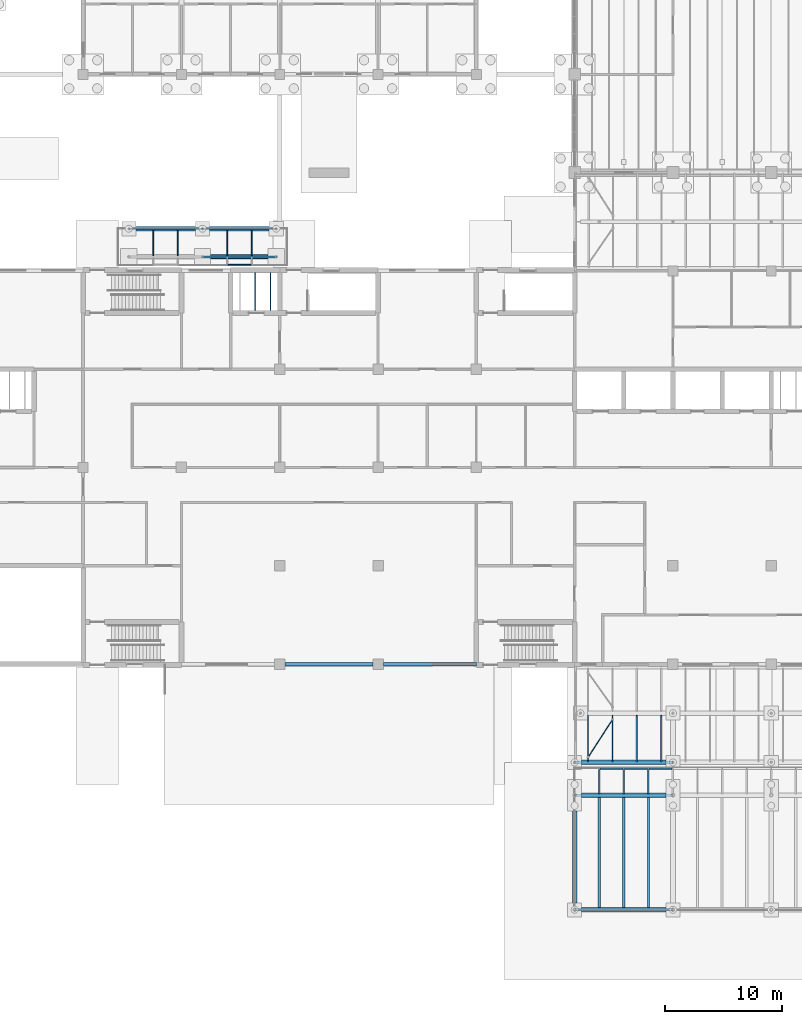
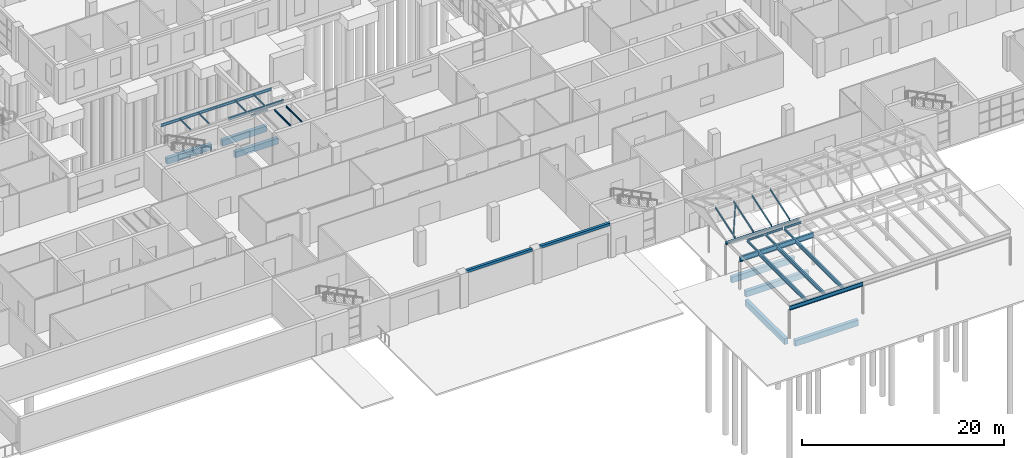
# One storey, part 33 of 138: 35 beams, 1 member.
"""IFC4 building model written with IfcOpenShell, lengths in metres."""

from ifc_helpers import new_model, si_unit, direction, frame, origin, origin_2d, place, context, subcontext, project, spatial, rectangle, hollow_circle, i_section, extrude, material, material_profile, profile_set, type_object, element, save


model = new_model("IFC4")

# Units and contexts
model_context = context("Model", 3, precision=1e-05, world=origin(), true_north=direction((0.0, 1.0)))
body_context = subcontext(model_context, "Body", "Model", "MODEL_VIEW")
ifc_project = project(units=[si_unit("LENGTHUNIT", "METRE"), si_unit("AREAUNIT", "SQUARE_METRE"), si_unit("VOLUMEUNIT", "CUBIC_METRE"), si_unit("PLANEANGLEUNIT", "RADIAN"), si_unit("MASSUNIT", "GRAM", prefix="KILO")], contexts=[model_context])

# Site, building, storey
site_placement = place(None, origin())
site = spatial("IfcSite", under=ifc_project, at=site_placement, CompositionType="ELEMENT")
building_placement = place(site_placement, origin())
building = spatial("IfcBuilding", under=site, at=building_placement, Name="Yavir Park General Hospital", CompositionType="ELEMENT")
storey_placement = place(building_placement, origin())
storey = spatial("IfcBuildingStorey", under=building, at=storey_placement, Name="L00", CompositionType="ELEMENT", Elevation=0.0)

# Member
ifc_material_1 = material(Name="Steel S355", Category="steel")
ifc_material_profile_1 = material_profile(ifc_material_1, hollow_circle(Radius=0.04443359375, WallThickness=0.0048828125, at=origin_2d()), Name="CHS88.9x5")
ifc_profile_set_1 = profile_set([ifc_material_profile_1], Name="Steel S355")
member_type = type_object("IfcMemberType", Name="CHS 88.9x5 roof brace", PredefinedType="BRACE", material=ifc_profile_set_1)
member_placement = place(storey_placement, frame((76.75, -7.970947265625, 4.07958984375), z_axis=(0.521743749393, 0.809323862228, 0.269774620743), x_axis=(-0.840486152676, 0.541833025166, 0.0)))
element("IfcMember", 1, at=member_placement, inside=storey, type_object=member_type, Name="RF:PORCH:frame:X:0", PredefinedType="BRACE", context=body_context, shape_type="SweptSolid", body=[
    extrude(hollow_circle(Radius=0.04443359375, WallThickness=0.0048828125, at=origin_2d()), origin(), (0.0, 0.0, 1.0), 3.989990234375),
])

# Beams
ifc_material_2 = material(Name="Steel S355", Category="steel")
ifc_material_profile_2 = material_profile(ifc_material_2, i_section(OverallWidth=0.260009765625, OverallDepth=0.25, WebThickness=0.007568359375, FlangeThickness=0.012451171875, FilletRadius=0.02392578125, at=origin_2d()), Name="HEA260")
ifc_profile_set_2 = profile_set([ifc_material_profile_2], Name="Steel S355")
beam_type_1 = type_object("IfcBeamType", Name="HEA 260 eave beam", PredefinedType="BEAM", material=ifc_profile_set_2)
beam_1_placement = place(storey_placement, frame((75.60009765625, -8.39990234375, 3.741943359375), z_axis=(1.0, 0.0, 0.0), x_axis=(0.0, 1.0, 0.0)))
element("IfcBeam", 2, at=beam_1_placement, inside=storey, type_object=beam_type_1, Name="RF:PORCH:frame:E:0", PredefinedType="BEAM", context=body_context, shape_type="SweptSolid", body=[
    extrude(i_section(OverallWidth=0.260009765625, OverallDepth=0.25, WebThickness=0.007568359375, FlangeThickness=0.012451171875, FilletRadius=0.02392578125, at=origin_2d()), origin(), (0.0, 0.0, 1.0), 8.39990234375),
])
ifc_material_3 = material(Name="Steel S355", Category="steel")
ifc_material_profile_3 = material_profile(ifc_material_3, i_section(OverallWidth=0.08203125, OverallDepth=0.159912109375, WebThickness=0.0048828125, FlangeThickness=0.00732421875, FilletRadius=0.009033203125, at=origin_2d()), Name="IPE160")
ifc_profile_set_3 = profile_set([ifc_material_profile_3], Name="Steel S355")
beam_type_2 = type_object("IfcBeamType", Name="IPE 160 edge trimmer, up to 2.5 m span", PredefinedType="BEAM", material=ifc_profile_set_3)
beam_2_placement = place(storey_placement, frame((45.94091796875, 34.14111328125, 3.77001953125), z_axis=(1.0, 0.0, 0.0), x_axis=(0.0, 1.0, 0.0)))
element("IfcBeam", 3, at=beam_2_placement, inside=storey, type_object=beam_type_2, Name="B:ARC1:T4", PredefinedType="BEAM", context=body_context, shape_type="SweptSolid", body=[
    extrude(i_section(OverallWidth=0.08203125, OverallDepth=0.159912109375, WebThickness=0.0048828125, FlangeThickness=0.00732421875, FilletRadius=0.009033203125, at=origin_2d()), origin(), (0.0, 0.0, 1.0), 2.01806640625),
])
ifc_material_4 = material(Name="Steel S355", Category="steel")
ifc_material_profile_4 = material_profile(ifc_material_4, i_section(OverallWidth=0.08203125, OverallDepth=0.159912109375, WebThickness=0.0048828125, FlangeThickness=0.00732421875, FilletRadius=0.009033203125, at=origin_2d()), Name="IPE160")
ifc_profile_set_4 = profile_set([ifc_material_profile_4], Name="Steel S355")
beam_type_3 = type_object("IfcBeamType", Name="IPE 160 secondary beam, up to 2.5 m span", PredefinedType="JOIST", material=ifc_profile_set_4)
for number, where, z_axis, x_axis, name in (
    (4, (39.60009765625, 34.8798828125, 3.77001953125), (0.0, 1.0, 0.0), (-1.0, 0.0, 0.0), "B:ARC1:J1-1"),
    (5, (41.699951171875, 34.8798828125, 3.77001953125), (0.0, 1.0, 0.0), (-1.0, 0.0, 0.0), "B:ARC1:J2-1"),
    (6, (45.89990234375, 34.8798828125, 3.77001953125), (0.0, 1.0, 0.0), (-1.0, 0.0, 0.0), "B:ARC1:J4-1"),
    (7, (48.0, 34.8798828125, 3.77001953125), (0.0, 1.0, 0.0), (-1.0, 0.0, 0.0), "B:ARC1:J5-1"),
):
    element("IfcBeam", number, at=place(storey_placement, frame(where, z_axis=z_axis, x_axis=x_axis)), inside=storey, type_object=beam_type_3, Name=name, PredefinedType="JOIST", context=body_context, shape_type="SweptSolid", body=[
        extrude(i_section(OverallWidth=0.08203125, OverallDepth=0.159912109375, WebThickness=0.0048828125, FlangeThickness=0.00732421875, FilletRadius=0.009033203125, at=origin_2d()), origin(), (0.0, 0.0, 1.0), 2.240234375),
    ])
ifc_material_5 = material(Name="Steel S355", Category="steel")
ifc_material_profile_5 = material_profile(ifc_material_5, i_section(OverallWidth=0.10009765625, OverallDepth=0.199951171875, WebThickness=0.005615234375, FlangeThickness=0.008544921875, FilletRadius=0.011962890625, at=origin_2d()), Name="IPE200")
ifc_profile_set_5 = profile_set([ifc_material_profile_5], Name="Steel S355")
beam_type_4 = type_object("IfcBeamType", Name="IPE 200 lift hoist beam", PredefinedType="BEAM", material=ifc_profile_set_5)
beam_3_placement = place(storey_placement, frame((48.300048828125, 30.199951171875, 4.0400390625), z_axis=(0.0, 1.0, 0.0), x_axis=(-1.0, 0.0, 0.0)))
element("IfcBeam", 8, at=beam_3_placement, inside=storey, type_object=beam_type_4, Name="B:HOIST:FL2", PredefinedType="BEAM", context=body_context, shape_type="SweptSolid", body=[
    extrude(i_section(OverallWidth=0.10009765625, OverallDepth=0.199951171875, WebThickness=0.005615234375, FlangeThickness=0.008544921875, FilletRadius=0.011962890625, at=origin_2d()), origin(), (0.0, 0.0, 1.0), 3.25),
])
ifc_material_6 = material(Name="Steel S355", Category="steel")
ifc_material_profile_6 = material_profile(ifc_material_6, i_section(OverallWidth=0.10009765625, OverallDepth=0.199951171875, WebThickness=0.005615234375, FlangeThickness=0.008544921875, FilletRadius=0.011962890625, at=origin_2d()), Name="IPE200")
ifc_profile_set_6 = profile_set([ifc_material_profile_6], Name="Steel S355")
beam_type_5 = type_object("IfcBeamType", Name="IPE 200 lift machine beam", PredefinedType="BEAM", material=ifc_profile_set_6)
beam_4_placement = place(storey_placement, frame((49.60009765625, 30.199951171875, 4.0400390625), z_axis=(0.0, 1.0, 0.0), x_axis=(-1.0, 0.0, 0.0)))
element("IfcBeam", 9, at=beam_4_placement, inside=storey, type_object=beam_type_5, Name="B:MACH:FL2:1", PredefinedType="BEAM", context=body_context, shape_type="SweptSolid", body=[
    extrude(i_section(OverallWidth=0.10009765625, OverallDepth=0.199951171875, WebThickness=0.005615234375, FlangeThickness=0.008544921875, FilletRadius=0.011962890625, at=origin_2d()), origin(), (0.0, 0.0, 1.0), 3.25),
])
ifc_material_7 = material(Name="Steel S355", Category="steel")
ifc_material_profile_7 = material_profile(ifc_material_7, i_section(OverallWidth=0.10009765625, OverallDepth=0.199951171875, WebThickness=0.005615234375, FlangeThickness=0.008544921875, FilletRadius=0.011962890625, at=origin_2d()), Name="IPE200")
ifc_profile_set_7 = profile_set([ifc_material_profile_7], Name="Steel S355")
beam_type_6 = type_object("IfcBeamType", Name="IPE 200 rafter", PredefinedType="JOIST", material=ifc_profile_set_7)
for number, where, z_axis, x_axis, name in (
    (10, (76.75, -8.32080078125, 3.962890625), (0.0, 0.948677403283, 0.316245449771), (-1.0, 0.0, 0.0), "RF:PORCH:frame:R:0"),
    (11, (78.831787109375, -8.32080078125, 3.962890625), (0.0, 0.948677403283, 0.316245449771), (-1.0, 0.0, 0.0), "RF:PORCH:frame:R:2"),
    (12, (80.91357421875, -8.32080078125, 3.962890625), (0.0, 0.948677403283, 0.316245449771), (-1.0, 0.0, 0.0), "RF:PORCH:frame:R:4"),
    (13, (82.99560546875, -8.32080078125, 3.962890625), (0.0, 0.948677403283, 0.316245449771), (-1.0, 0.0, 0.0), "RF:PORCH:frame:R:6"),
):
    element("IfcBeam", number, at=place(storey_placement, frame(where, z_axis=z_axis, x_axis=x_axis)), inside=storey, type_object=beam_type_6, Name=name, PredefinedType="JOIST", context=body_context, shape_type="SweptSolid", body=[
        extrude(i_section(OverallWidth=0.10009765625, OverallDepth=0.199951171875, WebThickness=0.005615234375, FlangeThickness=0.008544921875, FilletRadius=0.011962890625, at=origin_2d()), origin(), (0.0, 0.0, 1.0), 4.141845703125),
    ])
ifc_material_8 = material(Name="Steel S355", Category="steel")
ifc_material_profile_8 = material_profile(ifc_material_8, i_section(OverallWidth=0.1201171875, OverallDepth=0.239990234375, WebThickness=0.006103515625, FlangeThickness=0.009765625, FilletRadius=0.014892578125, at=origin_2d()), Name="IPE240")
ifc_profile_set_8 = profile_set([ifc_material_profile_8], Name="Steel S355")
beam_type_7 = type_object("IfcBeamType", Name="IPE 240 cantilever secondary beam, up to 2.5 m", PredefinedType="JOIST", material=ifc_profile_set_8)
for number, where, z_axis, x_axis, name in (
    (14, (77.699951171875, -9.02001953125, 3.72998046875), (0.0, -1.0, 0.0), (1.0, 0.0, 0.0), "B:DROP:J1-0"),
    (15, (79.800048828125, -9.02001953125, 3.72998046875), (0.0, -1.0, 0.0), (1.0, 0.0, 0.0), "B:DROP:J2-0"),
    (16, (81.89990234375, -9.02001953125, 3.72998046875), (0.0, -1.0, 0.0), (1.0, 0.0, 0.0), "B:DROP:J3-0"),
):
    element("IfcBeam", number, at=place(storey_placement, frame(where, z_axis=z_axis, x_axis=x_axis)), inside=storey, type_object=beam_type_7, Name=name, PredefinedType="JOIST", context=body_context, shape_type="SweptSolid", body=[
        extrude(i_section(OverallWidth=0.1201171875, OverallDepth=0.239990234375, WebThickness=0.006103515625, FlangeThickness=0.009765625, FilletRadius=0.014892578125, at=origin_2d()), origin(), (0.0, 0.0, 1.0), 2.070068359375),
    ])
ifc_material_9 = material(Name="Steel S355", Category="steel")
ifc_material_profile_9 = material_profile(ifc_material_9, i_section(OverallWidth=0.1201171875, OverallDepth=0.239990234375, WebThickness=0.006103515625, FlangeThickness=0.009765625, FilletRadius=0.014892578125, at=origin_2d()), Name="IPE240")
ifc_profile_set_9 = profile_set([ifc_material_profile_9], Name="Steel S355")
beam_type_8 = type_object("IfcBeamType", Name="IPE 240 edge trimmer, up to 2 m span", PredefinedType="BEAM", material=ifc_profile_set_9)
for number, where, z_axis, x_axis, name in (
    (17, (77.760009765625, -8.9599609375, 3.72998046875), (1.0, 0.0, 0.0), (0.0, 1.0, 0.0), "B:DROP:T1"),
    (18, (79.860107421875, -8.9599609375, 3.72998046875), (1.0, 0.0, 0.0), (0.0, 1.0, 0.0), "B:DROP:T2"),
    (19, (81.9599609375, -8.9599609375, 3.72998046875), (1.0, 0.0, 0.0), (0.0, 1.0, 0.0), "B:DROP:T3"),
):
    element("IfcBeam", number, at=place(storey_placement, frame(where, z_axis=z_axis, x_axis=x_axis)), inside=storey, type_object=beam_type_8, Name=name, PredefinedType="BEAM", context=body_context, shape_type="SweptSolid", body=[
        extrude(i_section(OverallWidth=0.1201171875, OverallDepth=0.239990234375, WebThickness=0.006103515625, FlangeThickness=0.009765625, FilletRadius=0.014892578125, at=origin_2d()), origin(), (0.0, 0.0, 1.0), 1.97998046875),
    ])
ifc_material_10 = material(Name="Steel S355", Category="steel")
ifc_material_profile_10 = material_profile(ifc_material_10, i_section(OverallWidth=0.159912109375, OverallDepth=0.330078125, WebThickness=0.007568359375, FlangeThickness=0.011474609375, FilletRadius=0.01806640625, at=origin_2d()), Name="IPE330")
ifc_profile_set_10 = profile_set([ifc_material_profile_10], Name="Steel S355")
beam_type_9 = type_object("IfcBeamType", Name="IPE 330 main beam, inner row, up to 6.5 m span", PredefinedType="BEAM", material=ifc_profile_set_10)
beam_5_placement = place(storey_placement, frame((43.800048828125, 34.800048828125, 3.68505859375), z_axis=(1.0, 0.0, 0.0), x_axis=(0.0, 1.0, 0.0)))
element("IfcBeam", 20, at=beam_5_placement, inside=storey, type_object=beam_type_9, Name="B:ARC1:M01", PredefinedType="BEAM", context=body_context, shape_type="SweptSolid", body=[
    extrude(i_section(OverallWidth=0.159912109375, OverallDepth=0.330078125, WebThickness=0.007568359375, FlangeThickness=0.011474609375, FilletRadius=0.01806640625, at=origin_2d()), origin(), (0.0, 0.0, 1.0), 6.300048828125),
])
ifc_material_11 = material(Name="Steel S355", Category="steel")
ifc_material_profile_11 = material_profile(ifc_material_11, i_section(OverallWidth=0.159912109375, OverallDepth=0.330078125, WebThickness=0.007568359375, FlangeThickness=0.011474609375, FilletRadius=0.01806640625, at=origin_2d()), Name="IPE330")
ifc_profile_set_11 = profile_set([ifc_material_profile_11], Name="Steel S355")
beam_type_10 = type_object("IfcBeamType", Name="IPE 330 main beam, outer row, up to 6.5 m span", PredefinedType="BEAM", material=ifc_profile_set_11)
for number, where, z_axis, x_axis, name in (
    (21, (37.5, 37.199951171875, 3.68505859375), (1.0, 0.0, 0.0), (0.0, 1.0, 0.0), "B:ARC1:M10"),
    (22, (43.800048828125, 37.199951171875, 3.68505859375), (1.0, 0.0, 0.0), (0.0, 1.0, 0.0), "B:ARC1:M11"),
):
    element("IfcBeam", number, at=place(storey_placement, frame(where, z_axis=z_axis, x_axis=x_axis)), inside=storey, type_object=beam_type_10, Name=name, PredefinedType="BEAM", context=body_context, shape_type="SweptSolid", body=[
        extrude(i_section(OverallWidth=0.159912109375, OverallDepth=0.330078125, WebThickness=0.007568359375, FlangeThickness=0.011474609375, FilletRadius=0.01806640625, at=origin_2d()), origin(), (0.0, 0.0, 1.0), 6.300048828125),
    ])
ifc_material_12 = material(Name="Steel S355", Category="steel")
ifc_material_profile_12 = material_profile(ifc_material_12, i_section(OverallWidth=0.18994140625, OverallDepth=0.449951171875, WebThickness=0.009521484375, FlangeThickness=0.0146484375, FilletRadius=0.02099609375, at=origin_2d()), Name="IPE450")
ifc_profile_set_12 = profile_set([ifc_material_profile_12], Name="Steel S355")
beam_type_11 = type_object("IfcBeamType", Name="IPE 450 secondary beam, up to 10 m span", PredefinedType="JOIST", material=ifc_profile_set_12)
for number, where, z_axis, x_axis, name in (
    (23, (77.699951171875, -11.31005859375, 3.625), (0.0, -1.0, 0.0), (1.0, 0.0, 0.0), "B:DROP:J1-1"),
    (24, (79.800048828125, -11.31005859375, 3.625), (0.0, -1.0, 0.0), (1.0, 0.0, 0.0), "B:DROP:J2-1"),
    (25, (81.89990234375, -11.31005859375, 3.625), (0.0, -1.0, 0.0), (1.0, 0.0, 0.0), "B:DROP:J3-1"),
):
    element("IfcBeam", number, at=place(storey_placement, frame(where, z_axis=z_axis, x_axis=x_axis)), inside=storey, type_object=beam_type_11, Name=name, PredefinedType="JOIST", context=body_context, shape_type="SweptSolid", body=[
        extrude(i_section(OverallWidth=0.18994140625, OverallDepth=0.449951171875, WebThickness=0.009521484375, FlangeThickness=0.0146484375, FilletRadius=0.02099609375, at=origin_2d()), origin(), (0.0, 0.0, 1.0), 9.58984375),
    ])
ifc_material_13 = material(Name="Steel S355", Category="steel")
ifc_material_profile_13 = material_profile(ifc_material_13, i_section(OverallWidth=0.199951171875, OverallDepth=0.5, WebThickness=0.01025390625, FlangeThickness=0.01611328125, FilletRadius=0.02099609375, at=origin_2d()), Name="IPE500")
ifc_profile_set_13 = profile_set([ifc_material_profile_13], Name="Steel S355")
beam_type_12 = type_object("IfcBeamType", Name="IPE 500 main beam, outer row, up to 8.5 m span", PredefinedType="BEAM", material=ifc_profile_set_13)
beam_6_placement = place(storey_placement, frame((75.60009765625, -21.0, 3.60009765625), z_axis=(1.0, 0.0, 0.0), x_axis=(0.0, 1.0, 0.0)))
element("IfcBeam", 26, at=beam_6_placement, inside=storey, type_object=beam_type_12, Name="B:DROP:M10", PredefinedType="BEAM", context=body_context, shape_type="SweptSolid", body=[
    extrude(i_section(OverallWidth=0.199951171875, OverallDepth=0.5, WebThickness=0.01025390625, FlangeThickness=0.01611328125, FilletRadius=0.02099609375, at=origin_2d()), origin(), (0.0, 0.0, 1.0), 8.39990234375),
])
ifc_material_14 = material(Name="Steel S355", Category="steel")
ifc_material_profile_14 = material_profile(ifc_material_14, i_section(OverallWidth=0.219970703125, OverallDepth=0.60009765625, WebThickness=0.011962890625, FlangeThickness=0.01904296875, FilletRadius=0.02392578125, at=origin_2d()), Name="IPE600")
ifc_profile_set_14 = profile_set([ifc_material_profile_14], Name="Steel S355")
beam_type_13 = type_object("IfcBeamType", Name="IPE 600 main beam, inner row, up to 8.5 m span", PredefinedType="BEAM", material=ifc_profile_set_14)
beam_7_placement = place(storey_placement, frame((75.60009765625, -11.199951171875, 3.550048828125), z_axis=(1.0, 0.0, 0.0), x_axis=(0.0, 1.0, 0.0)))
element("IfcBeam", 27, at=beam_7_placement, inside=storey, type_object=beam_type_13, Name="B:DROP:M00", PredefinedType="BEAM", context=body_context, shape_type="SweptSolid", body=[
    extrude(i_section(OverallWidth=0.219970703125, OverallDepth=0.60009765625, WebThickness=0.011962890625, FlangeThickness=0.01904296875, FilletRadius=0.02392578125, at=origin_2d()), origin(), (0.0, 0.0, 1.0), 8.39990234375),
])
ifc_material_15 = material(Name="Concrete C35/45", Category="concrete")
ifc_material_profile_15 = material_profile(ifc_material_15, rectangle(XDim=0.300048828125, YDim=0.300048828125, at=origin_2d()), Name="RC300x300")
ifc_profile_set_15 = profile_set([ifc_material_profile_15], Name="Concrete C35/45")
beam_type_14 = type_object("IfcBeamType", Name="RC BEAM 300x300 edge beam", PredefinedType="BEAM", material=ifc_profile_set_15)
beam_8_placement = place(storey_placement, frame((50.85009765625, 0.0, 3.989990234375), z_axis=(1.0, 0.0, 0.0), x_axis=(0.0, 1.0, 0.0)))
element("IfcBeam", 28, at=beam_8_placement, inside=storey, type_object=beam_type_14, Name="B:EDGE:L00:002", PredefinedType="BEAM", context=body_context, shape_type="SweptSolid", body=[
    extrude(rectangle(XDim=0.300048828125, YDim=0.300048828125, at=origin_2d()), origin(), (0.0, 0.0, 1.0), 7.5),
])
beam_9_placement = place(storey_placement, frame((59.25, 0.0, 3.989990234375), z_axis=(1.0, 0.0, 0.0), x_axis=(0.0, 1.0, 0.0)))
element("IfcBeam", 29, at=beam_9_placement, inside=storey, type_object=beam_type_14, Name="B:EDGE:L00:003", PredefinedType="BEAM", context=body_context, shape_type="SweptSolid", body=[
    extrude(rectangle(XDim=0.300048828125, YDim=0.300048828125, at=origin_2d()), origin(), (0.0, 0.0, 1.0), 7.949951171875),
])
ifc_material_16 = material(Name="Concrete C35/45", Category="concrete")
ifc_material_profile_16 = material_profile(ifc_material_16, rectangle(XDim=0.39990234375, YDim=0.699951171875, at=origin_2d()), Name="RC400x700")
ifc_profile_set_16 = profile_set([ifc_material_profile_16], Name="Concrete C35/45")
beam_type_15 = type_object("IfcBeamType", Name="RC BEAM 400x700 ground beam", PredefinedType="BEAM", material=ifc_profile_set_16)
beam_10_placement = place(storey_placement, frame((44.5, 34.800048828125, -0.800048828125), z_axis=(1.0, 0.0, 0.0), x_axis=(0.0, 1.0, 0.0)))
element("IfcBeam", 30, at=beam_10_placement, inside=storey, type_object=beam_type_15, Name="B:GND:ARC1:C01:ARC1:C02", PredefinedType="BEAM", context=body_context, shape_type="SweptSolid", body=[
    extrude(rectangle(XDim=0.39990234375, YDim=0.699951171875, at=origin_2d()), origin(), (0.0, 0.0, 1.0), 4.89990234375),
])
beam_11_placement = place(storey_placement, frame((38.10009765625, 37.199951171875, -0.800048828125), z_axis=(1.0, 0.0, 0.0), x_axis=(0.0, 1.0, 0.0)))
element("IfcBeam", 31, at=beam_11_placement, inside=storey, type_object=beam_type_15, Name="B:GND:ARC1:C10:ARC1:C11", PredefinedType="BEAM", context=body_context, shape_type="SweptSolid", body=[
    extrude(rectangle(XDim=0.39990234375, YDim=0.699951171875, at=origin_2d()), origin(), (0.0, 0.0, 1.0), 5.099853515625),
])
beam_12_placement = place(storey_placement, frame((44.39990234375, 37.199951171875, -0.800048828125), z_axis=(1.0, 0.0, 0.0), x_axis=(0.0, 1.0, 0.0)))
element("IfcBeam", 32, at=beam_12_placement, inside=storey, type_object=beam_type_15, Name="B:GND:ARC1:C11:ARC1:C12", PredefinedType="BEAM", context=body_context, shape_type="SweptSolid", body=[
    extrude(rectangle(XDim=0.39990234375, YDim=0.699951171875, at=origin_2d()), origin(), (0.0, 0.0, 1.0), 5.10009765625),
])
for number, where, z_axis, x_axis, name in (
    (33, (76.199951171875, -11.199951171875, -0.800048828125), (1.0, 0.0, 0.0), (0.0, 1.0, 0.0), "B:GND:DROP:C00:DROP:C01"),
    (34, (76.199951171875, -21.0, -0.800048828125), (1.0, 0.0, 0.0), (0.0, 1.0, 0.0), "B:GND:DROP:C10:DROP:C11"),
    (35, (76.199951171875, -8.39990234375, -0.800048828125), (1.0, 0.0, 0.0), (0.0, 1.0, 0.0), "B:GND:PORCH:SS0:PORCH:SS1"),
):
    element("IfcBeam", number, at=place(storey_placement, frame(where, z_axis=z_axis, x_axis=x_axis)), inside=storey, type_object=beam_type_15, Name=name, PredefinedType="BEAM", context=body_context, shape_type="SweptSolid", body=[
        extrude(rectangle(XDim=0.39990234375, YDim=0.699951171875, at=origin_2d()), origin(), (0.0, 0.0, 1.0), 7.199951171875),
    ])
beam_13_placement = place(storey_placement, frame((75.60009765625, -20.39990234375, -0.800048828125), z_axis=(0.0, 1.0, 0.0), x_axis=(-1.0, 0.0, 0.0)))
element("IfcBeam", 36, at=beam_13_placement, inside=storey, type_object=beam_type_15, Name="B:GND:DROP:C10:DROP:C00", PredefinedType="BEAM", context=body_context, shape_type="SweptSolid", body=[
    extrude(rectangle(XDim=0.39990234375, YDim=0.699951171875, at=origin_2d()), origin(), (0.0, 0.0, 1.0), 7.849853515625),
])

save(model, "model.ifc")
